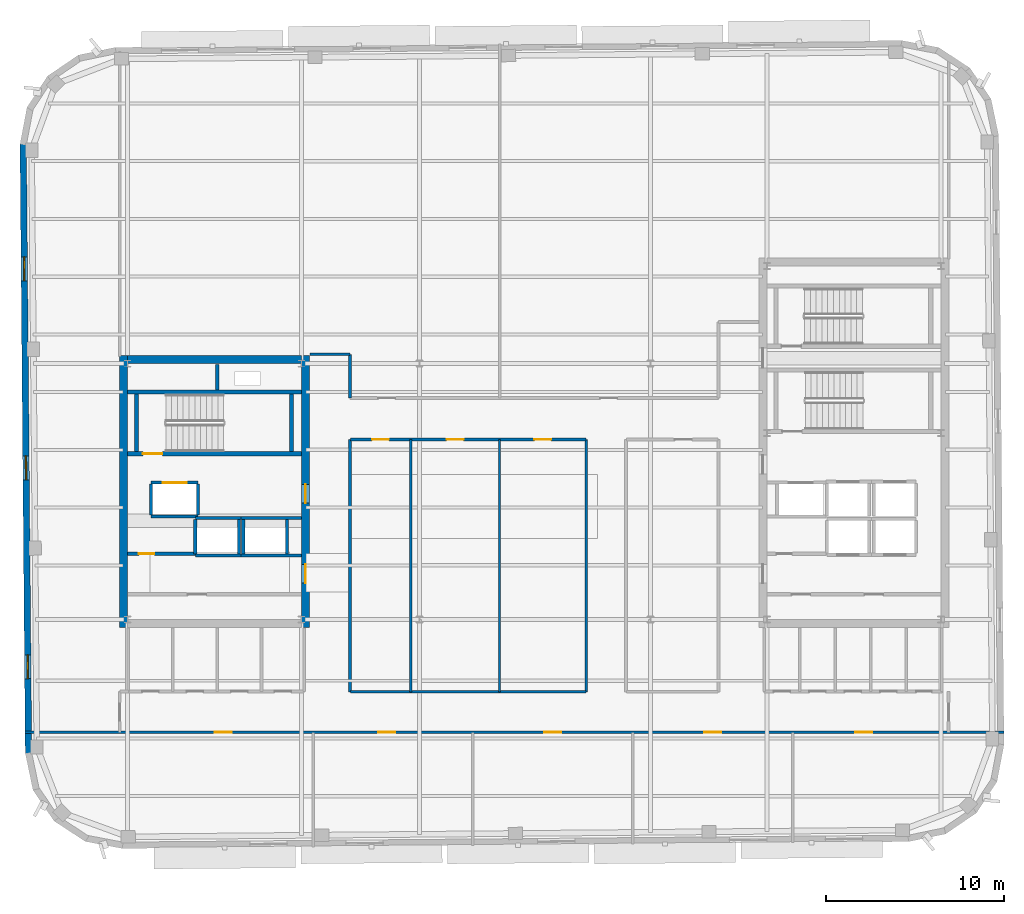
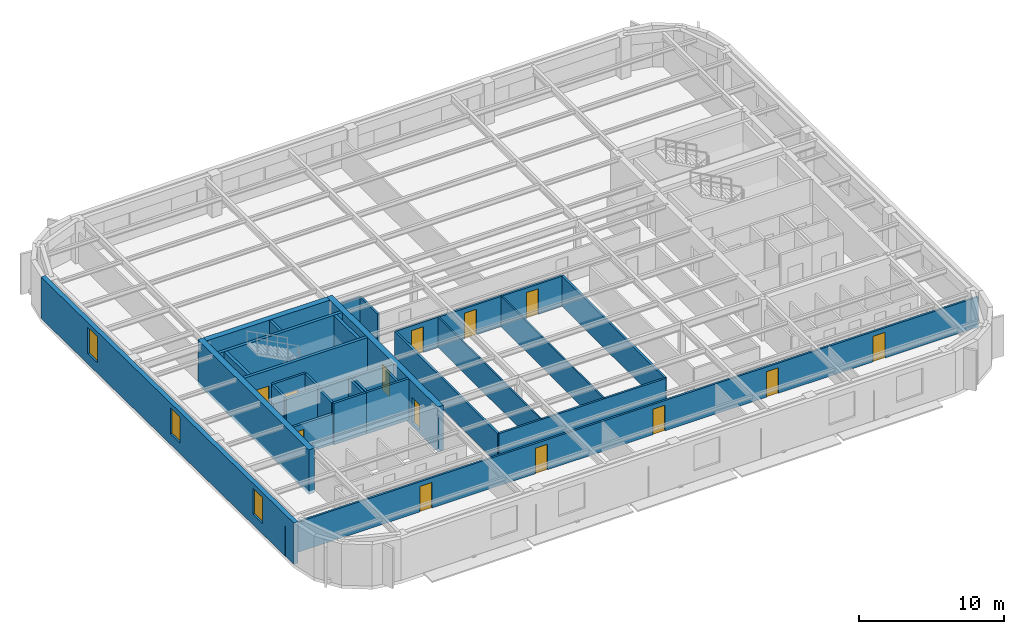
# One storey, part 7 of 15: 31 walls, 13 doors, 3 windows, 16 openings.
"""IFC4 building model written with IfcOpenShell, lengths in metres."""

from ifc_helpers import new_model, si_unit, direction, frame, frame_2d, origin, place, context, subcontext, project, spatial, rectangle, extrude, material, layer, layer_set, type_object, element, fill, save


model = new_model("IFC4")

# Units and contexts
model_context = context("Model", 3, precision=1e-05, world=origin(), true_north=direction((0.0, 1.0)))
body_context = subcontext(model_context, "Body", "Model", "MODEL_VIEW")
ifc_project = project(units=[si_unit("LENGTHUNIT", "METRE"), si_unit("AREAUNIT", "SQUARE_METRE"), si_unit("VOLUMEUNIT", "CUBIC_METRE"), si_unit("PLANEANGLEUNIT", "RADIAN"), si_unit("MASSUNIT", "GRAM", prefix="KILO")], contexts=[model_context])

# Site, building, storey
site_placement = place(None, origin())
site = spatial("IfcSite", under=ifc_project, at=site_placement, CompositionType="ELEMENT")
building_placement = place(site_placement, origin())
building = spatial("IfcBuilding", under=site, at=building_placement, Name="Kolvaren Arena Tower", CompositionType="ELEMENT")
storey_placement = place(building_placement, frame((0.0, 0.0, 282.39990234375)))
storey = spatial("IfcBuildingStorey", under=building, at=storey_placement, Name="L69", CompositionType="ELEMENT", Elevation=282.39990234375)

# Wall, openings, doors
ifc_material_1 = material(Name="Gypsum board acoustic assembly", Category="gypsum")
ifc_layer_1 = layer(ifc_material_1, 0.159912109375)
ifc_layer_set_1 = layer_set([ifc_layer_1], Name="Gypsum board acoustic assembly")
wall_type_1 = type_object("IfcWallType", Name="CORR-160", PredefinedType="PARTITIONING", material=ifc_layer_set_1)
wall_1_placement = place(storey_placement, frame((8.790283203125, 13.10009765625, 0.0), z_axis=(0.0, 0.0, 1.0), x_axis=(1.0, 0.0, 0.0)))
wall_1 = element("IfcWall", 1, at=wall_1_placement, inside=storey, type_object=wall_type_1, Name="Interior Partition Wall (L69)", PredefinedType="PARTITIONING", context=body_context, shape_type="SweptSolid", body=[
    extrude(rectangle(XDim=55.10205078125, YDim=0.159912109375, at=frame_2d((27.551025390625, 0.0))), origin(), (0.0, 0.0, 1.0), 2.5400390625),
])
opening_1_placement = place(wall_1_placement, frame((10.684814453125, 0.0, 0.0)))
opening_1 = element("IfcOpeningElement", 2, at=opening_1_placement, cuts=wall_1, Name="Opening D05", PredefinedType="OPENING", context=body_context, shape_type="SweptSolid", body=[
    extrude(rectangle(XDim=0.949951171875, YDim=2.14990234375, at=frame_2d((0.47509765625, 1.074951171875))), frame((0.0, 0.08984375, 0.0), z_axis=(0.0, -1.0, 0.0), x_axis=(1.0, 0.0, 0.0)), (0.0, 0.0, 1.0), 0.179931640625),
])
opening_2_placement = place(wall_1_placement, frame((19.884765625, 0.0, 0.0)))
opening_2 = element("IfcOpeningElement", 3, at=opening_2_placement, cuts=wall_1, Name="Opening D05", PredefinedType="OPENING", context=body_context, shape_type="SweptSolid", body=[
    extrude(rectangle(XDim=0.949951171875, YDim=2.14990234375, at=frame_2d((0.47509765625, 1.074951171875))), frame((0.0, 0.08984375, 0.0), z_axis=(0.0, -1.0, 0.0), x_axis=(1.0, 0.0, 0.0)), (0.0, 0.0, 1.0), 0.179931640625),
])
opening_3_placement = place(wall_1_placement, frame((29.234619140625, 0.0, 0.0)))
opening_3 = element("IfcOpeningElement", 4, at=opening_3_placement, cuts=wall_1, Name="Opening D05", PredefinedType="OPENING", context=body_context, shape_type="SweptSolid", body=[
    extrude(rectangle(XDim=0.949951171875, YDim=2.14990234375, at=frame_2d((0.47509765625, 1.074951171875))), frame((0.0, 0.08984375, 0.0), z_axis=(0.0, -1.0, 0.0), x_axis=(1.0, 0.0, 0.0)), (0.0, 0.0, 1.0), 0.179931640625),
])
opening_4_placement = place(wall_1_placement, frame((38.234619140625, 0.0, 0.0)))
opening_4 = element("IfcOpeningElement", 5, at=opening_4_placement, cuts=wall_1, Name="Opening D05", PredefinedType="OPENING", context=body_context, shape_type="SweptSolid", body=[
    extrude(rectangle(XDim=0.949951171875, YDim=2.14990234375, at=frame_2d((0.47509765625, 1.074951171875))), frame((0.0, 0.08984375, 0.0), z_axis=(0.0, -1.0, 0.0), x_axis=(1.0, 0.0, 0.0)), (0.0, 0.0, 1.0), 0.179931640625),
])
opening_5_placement = place(wall_1_placement, frame((46.734619140625, 0.0, 0.0)))
opening_5 = element("IfcOpeningElement", 6, at=opening_5_placement, cuts=wall_1, Name="Opening D05", PredefinedType="OPENING", context=body_context, shape_type="SweptSolid", body=[
    extrude(rectangle(XDim=0.949951171875, YDim=2.14990234375, at=frame_2d((0.47509765625, 1.074951171875))), frame((0.0, 0.08984375, 0.0), z_axis=(0.0, -1.0, 0.0), x_axis=(1.0, 0.0, 0.0)), (0.0, 0.0, 1.0), 0.179931640625),
])
ifc_material_2 = material(Name="Solid-core oak acoustic office door", Category="wood")
door_type_1 = type_object("IfcDoorType", Name="DOOR-OF-095", OperationType="NOTDEFINED", PredefinedType="DOOR", material=ifc_material_2)
door_1_placement = place(opening_1_placement, origin())
door_1 = element("IfcDoor", 7, at=door_1_placement, inside=storey, type_object=door_type_1, Name="Client Lounge Door (L69)", OperationType="SINGLE_SWING_LEFT", OverallHeight=2.14990234375, OverallWidth=0.949951171875, PredefinedType="DOOR", context=body_context, shape_type="SweptSolid", body=[
    extrude(rectangle(XDim=0.949951171875, YDim=2.14990234375, at=frame_2d((0.47509765625, 1.074951171875))), frame((0.0, 0.02490234375, 0.0), z_axis=(0.0, -1.0, 0.0), x_axis=(1.0, 0.0, 0.0)), (0.0, 0.0, 1.0), 0.050048828125),
])
fill(opening_1, door_1)
door_2_placement = place(opening_2_placement, origin())
door_2 = element("IfcDoor", 8, at=door_2_placement, inside=storey, type_object=door_type_1, Name="Wellness Room Door (L69)", OperationType="SINGLE_SWING_RIGHT", OverallHeight=2.14990234375, OverallWidth=0.949951171875, PredefinedType="DOOR", context=body_context, shape_type="SweptSolid", body=[
    extrude(rectangle(XDim=0.949951171875, YDim=2.14990234375, at=frame_2d((0.47509765625, 1.074951171875))), frame((0.0, 0.02490234375, 0.0), z_axis=(0.0, -1.0, 0.0), x_axis=(1.0, 0.0, 0.0)), (0.0, 0.0, 1.0), 0.050048828125),
])
fill(opening_2, door_2)
door_3_placement = place(opening_3_placement, origin())
door_3 = element("IfcDoor", 9, at=door_3_placement, inside=storey, type_object=door_type_1, Name="Meeting Room Door (L69)", OperationType="SINGLE_SWING_LEFT", OverallHeight=2.14990234375, OverallWidth=0.949951171875, PredefinedType="DOOR", context=body_context, shape_type="SweptSolid", body=[
    extrude(rectangle(XDim=0.949951171875, YDim=2.14990234375, at=frame_2d((0.47509765625, 1.074951171875))), frame((0.0, 0.02490234375, 0.0), z_axis=(0.0, -1.0, 0.0), x_axis=(1.0, 0.0, 0.0)), (0.0, 0.0, 1.0), 0.050048828125),
])
fill(opening_3, door_3)
door_4_placement = place(opening_4_placement, origin())
door_4 = element("IfcDoor", 10, at=door_4_placement, inside=storey, type_object=door_type_1, Name="Boardroom Door (L69)", OperationType="SINGLE_SWING_RIGHT", OverallHeight=2.14990234375, OverallWidth=0.949951171875, PredefinedType="DOOR", context=body_context, shape_type="SweptSolid", body=[
    extrude(rectangle(XDim=0.949951171875, YDim=2.14990234375, at=frame_2d((0.47509765625, 1.074951171875))), frame((0.0, 0.02490234375, 0.0), z_axis=(0.0, -1.0, 0.0), x_axis=(1.0, 0.0, 0.0)), (0.0, 0.0, 1.0), 0.050048828125),
])
fill(opening_4, door_4)
door_5_placement = place(opening_5_placement, origin())
door_5 = element("IfcDoor", 11, at=door_5_placement, inside=storey, type_object=door_type_1, Name="Breakout Pantry and Kitchen Door (L69)", OperationType="SINGLE_SWING_LEFT", OverallHeight=2.14990234375, OverallWidth=0.949951171875, PredefinedType="DOOR", context=body_context, shape_type="SweptSolid", body=[
    extrude(rectangle(XDim=0.949951171875, YDim=2.14990234375, at=frame_2d((0.47509765625, 1.074951171875))), frame((0.0, 0.02490234375, 0.0), z_axis=(0.0, -1.0, 0.0), x_axis=(1.0, 0.0, 0.0)), (0.0, 0.0, 1.0), 0.050048828125),
])
fill(opening_5, door_5)

# Walls
wall_2_placement = place(storey_placement, frame((27.080078125, 31.919921875, 0.0), z_axis=(0.0, 0.0, 1.0), x_axis=(0.0, 1.0, 0.0)))
element("IfcWall", 12, at=wall_2_placement, inside=storey, type_object=wall_type_1, Name="Interior Partition Wall (L69)", PredefinedType="PARTITIONING", context=body_context, shape_type="SweptSolid", body=[
    extrude(rectangle(XDim=2.4599609375, YDim=0.159912109375, at=frame_2d((1.22998046875, 0.0))), origin(), (0.0, 0.0, 1.0), 2.5400390625),
])
wall_3_placement = place(storey_placement, frame((24.820068359375, 34.3798828125, 0.0), z_axis=(0.0, 0.0, 1.0), x_axis=(1.0, 0.0, 0.0)))
element("IfcWall", 13, at=wall_3_placement, inside=storey, type_object=wall_type_1, Name="Interior Partition Wall (L69)", PredefinedType="PARTITIONING", context=body_context, shape_type="SweptSolid", body=[
    extrude(rectangle(XDim=2.260009765625, YDim=0.159912109375, at=frame_2d((1.1298828125, 0.0))), origin(), (0.0, 0.0, 1.0), 2.5400390625),
])

# Wall, openings, doors
wall_4_placement = place(storey_placement, frame((27.10009765625, 29.580078125, 0.0), z_axis=(0.0, 0.0, 1.0), x_axis=(1.0, 0.0, 0.0)))
wall_4 = element("IfcWall", 14, at=wall_4_placement, inside=storey, type_object=wall_type_1, Name="Interior Partition Wall (L69)", PredefinedType="PARTITIONING", context=body_context, shape_type="SweptSolid", body=[
    extrude(rectangle(XDim=13.260009765625, YDim=0.159912109375, at=frame_2d((6.6298828125, 0.0))), origin(), (0.0, 0.0, 1.0), 2.5400390625),
])
opening_6_placement = place(wall_4_placement, frame((1.22509765625, 0.0, 0.0)))
opening_6 = element("IfcOpeningElement", 15, at=opening_6_placement, cuts=wall_4, Name="Opening D05", PredefinedType="OPENING", context=body_context, shape_type="SweptSolid", body=[
    extrude(rectangle(XDim=0.949951171875, YDim=2.14990234375, at=frame_2d((0.47509765625, 1.074951171875))), frame((0.0, 0.08984375, 0.0), z_axis=(0.0, -1.0, 0.0), x_axis=(1.0, 0.0, 0.0)), (0.0, 0.0, 1.0), 0.179931640625),
])
opening_7_placement = place(wall_4_placement, frame((5.425048828125, 0.0, 0.0)))
opening_7 = element("IfcOpeningElement", 16, at=opening_7_placement, cuts=wall_4, Name="Opening D05", PredefinedType="OPENING", context=body_context, shape_type="SweptSolid", body=[
    extrude(rectangle(XDim=0.949951171875, YDim=2.14990234375, at=frame_2d((0.47509765625, 1.074951171875))), frame((0.0, 0.08984375, 0.0), z_axis=(0.0, -1.0, 0.0), x_axis=(1.0, 0.0, 0.0)), (0.0, 0.0, 1.0), 0.179931640625),
])
opening_8_placement = place(wall_4_placement, frame((10.35498046875, 0.0, 0.0)))
opening_8 = element("IfcOpeningElement", 17, at=opening_8_placement, cuts=wall_4, Name="Opening D05", PredefinedType="OPENING", context=body_context, shape_type="SweptSolid", body=[
    extrude(rectangle(XDim=0.949951171875, YDim=2.14990234375, at=frame_2d((0.47509765625, 1.074951171875))), frame((0.0, 0.08984375, 0.0), z_axis=(0.0, -1.0, 0.0), x_axis=(1.0, 0.0, 0.0)), (0.0, 0.0, 1.0), 0.179931640625),
])
door_6_placement = place(opening_6_placement, origin())
door_6 = element("IfcDoor", 18, at=door_6_placement, inside=storey, type_object=door_type_1, Name="Wellness Room Door (L69)", OperationType="SINGLE_SWING_RIGHT", OverallHeight=2.14990234375, OverallWidth=0.949951171875, PredefinedType="DOOR", context=body_context, shape_type="SweptSolid", body=[
    extrude(rectangle(XDim=0.949951171875, YDim=2.14990234375, at=frame_2d((0.47509765625, 1.074951171875))), frame((0.0, 0.02490234375, 0.0), z_axis=(0.0, -1.0, 0.0), x_axis=(1.0, 0.0, 0.0)), (0.0, 0.0, 1.0), 0.050048828125),
])
fill(opening_6, door_6)
door_7_placement = place(opening_7_placement, origin())
door_7 = element("IfcDoor", 19, at=door_7_placement, inside=storey, type_object=door_type_1, Name="Meeting Room Door (L69)", OperationType="SINGLE_SWING_LEFT", OverallHeight=2.14990234375, OverallWidth=0.949951171875, PredefinedType="DOOR", context=body_context, shape_type="SweptSolid", body=[
    extrude(rectangle(XDim=0.949951171875, YDim=2.14990234375, at=frame_2d((0.47509765625, 1.074951171875))), frame((0.0, 0.02490234375, 0.0), z_axis=(0.0, -1.0, 0.0), x_axis=(1.0, 0.0, 0.0)), (0.0, 0.0, 1.0), 0.050048828125),
])
fill(opening_7, door_7)
door_8_placement = place(opening_8_placement, origin())
door_8 = element("IfcDoor", 20, at=door_8_placement, inside=storey, type_object=door_type_1, Name="Boardroom Door (L69)", OperationType="SINGLE_SWING_RIGHT", OverallHeight=2.14990234375, OverallWidth=0.949951171875, PredefinedType="DOOR", context=body_context, shape_type="SweptSolid", body=[
    extrude(rectangle(XDim=0.949951171875, YDim=2.14990234375, at=frame_2d((0.47509765625, 1.074951171875))), frame((0.0, 0.02490234375, 0.0), z_axis=(0.0, -1.0, 0.0), x_axis=(1.0, 0.0, 0.0)), (0.0, 0.0, 1.0), 0.050048828125),
])
fill(opening_8, door_8)

# Walls
wall_5_placement = place(storey_placement, frame((27.10009765625, 15.3798828125, 0.0), z_axis=(0.0, 0.0, 1.0), x_axis=(1.0, 0.0, 0.0)))
element("IfcWall", 21, at=wall_5_placement, inside=storey, type_object=wall_type_1, Name="Interior Partition Wall (L69)", PredefinedType="PARTITIONING", context=body_context, shape_type="SweptSolid", body=[
    extrude(rectangle(XDim=13.260009765625, YDim=0.159912109375, at=frame_2d((6.6298828125, 0.0))), origin(), (0.0, 0.0, 1.0), 2.5400390625),
])
for number, where, z_axis, x_axis, name in (
    (22, (40.3798828125, 15.3798828125, 0.0), (0.0, 0.0, 1.0), (0.0, 1.0, 0.0), "Interior Partition Wall (L69)"),
    (23, (27.080078125, 15.3798828125, 0.0), (0.0, 0.0, 1.0), (0.0, 1.0, 0.0), "Interior Partition Wall (L69)"),
):
    element("IfcWall", number, at=place(storey_placement, frame(where, z_axis=z_axis, x_axis=x_axis)), inside=storey, type_object=wall_type_1, Name=name, PredefinedType="PARTITIONING", context=body_context, shape_type="SweptSolid", body=[
        extrude(rectangle(XDim=14.2001953125, YDim=0.159912109375, at=frame_2d((7.10009765625, 0.0))), origin(), (0.0, 0.0, 1.0), 2.5400390625),
    ])
ifc_material_3 = material(Name="Concrete 55 MPa", Category="concrete")
ifc_layer_2 = layer(ifc_material_3, 0.449951171875)
ifc_layer_set_2 = layer_set([ifc_layer_2], Name="Concrete 55 MPa")
wall_type_2 = type_object("IfcWallType", Name="CWALL-450", PredefinedType="SHEAR", material=ifc_layer_set_2)
wall_6_placement = place(storey_placement, frame((14.324951171875, 19.0, -0.27001953125), z_axis=(0.0, 0.0, 1.0), x_axis=(0.0, 1.0, 0.0)))
element("IfcWall", 24, at=wall_6_placement, inside=storey, type_object=wall_type_2, Name="Core Shear Wall WC-WEST (L69)", PredefinedType="SHEAR", context=body_context, shape_type="SweptSolid", body=[
    extrude(rectangle(XDim=15.300048828125, YDim=0.449951171875, at=frame_2d((7.64990234375, 0.0))), origin(), (0.0, 0.0, 1.0), 3.75),
])

# Wall, openings, doors
wall_7_placement = place(storey_placement, frame((24.574951171875, 19.0, -0.27001953125), z_axis=(0.0, 0.0, 1.0), x_axis=(0.0, 1.0, 0.0)))
wall_7 = element("IfcWall", 25, at=wall_7_placement, inside=storey, type_object=wall_type_2, Name="Core Shear Wall WC-EAST (L69)", PredefinedType="SHEAR", context=body_context, shape_type="SweptSolid", body=[
    extrude(rectangle(XDim=15.300048828125, YDim=0.449951171875, at=frame_2d((7.64990234375, 0.0))), origin(), (0.0, 0.0, 1.0), 3.75),
])
opening_9_placement = place(wall_7_placement, frame((2.5, 0.0, 0.27001953125)))
opening_9 = element("IfcOpeningElement", 26, at=opening_9_placement, cuts=wall_7, Name="Opening D04", PredefinedType="OPENING", context=body_context, shape_type="SweptSolid", body=[
    extrude(rectangle(XDim=1.050048828125, YDim=2.14990234375, at=frame_2d((0.52490234375, 1.074951171875))), frame((0.0, 0.23486328125, 0.0), z_axis=(0.0, -1.0, 0.0), x_axis=(1.0, 0.0, 0.0)), (0.0, 0.0, 1.0), 0.469970703125),
])
opening_10_placement = place(wall_7_placement, frame((7.0, 0.0, 0.27001953125)))
opening_10 = element("IfcOpeningElement", 27, at=opening_10_placement, cuts=wall_7, Name="Opening D04", PredefinedType="OPENING", context=body_context, shape_type="SweptSolid", body=[
    extrude(rectangle(XDim=1.050048828125, YDim=2.14990234375, at=frame_2d((0.52490234375, 1.074951171875))), frame((0.0, 0.23486328125, 0.0), z_axis=(0.0, -1.0, 0.0), x_axis=(1.0, 0.0, 0.0)), (0.0, 0.0, 1.0), 0.469970703125),
])
ifc_material_4 = material(Name="Fire-rated steel lobby door", Category="steel")
door_type_2 = type_object("IfcDoorType", Name="DOOR-FF-105", OperationType="NOTDEFINED", PredefinedType="DOOR", material=ifc_material_4)
door_9_placement = place(opening_9_placement, origin())
door_9 = element("IfcDoor", 28, at=door_9_placement, inside=storey, type_object=door_type_2, Name="West Lift Lobby Fire Door (L69)", OperationType="SINGLE_SWING_LEFT", OverallHeight=2.14990234375, OverallWidth=1.050048828125, PredefinedType="DOOR", context=body_context, shape_type="SweptSolid", body=[
    extrude(rectangle(XDim=1.050048828125, YDim=2.14990234375, at=frame_2d((0.52490234375, 1.074951171875))), frame((0.0, 0.02490234375, 0.0), z_axis=(0.0, -1.0, 0.0), x_axis=(1.0, 0.0, 0.0)), (0.0, 0.0, 1.0), 0.050048828125),
])
fill(opening_9, door_9)
door_10_placement = place(opening_10_placement, origin())
door_10 = element("IfcDoor", 29, at=door_10_placement, inside=storey, type_object=door_type_2, Name="West Firefighter Vestibule Door (L69)", OperationType="SINGLE_SWING_RIGHT", OverallHeight=2.14990234375, OverallWidth=1.050048828125, PredefinedType="DOOR", context=body_context, shape_type="SweptSolid", body=[
    extrude(rectangle(XDim=1.050048828125, YDim=2.14990234375, at=frame_2d((0.52490234375, 1.074951171875))), frame((0.0, 0.02490234375, 0.0), z_axis=(0.0, -1.0, 0.0), x_axis=(1.0, 0.0, 0.0)), (0.0, 0.0, 1.0), 0.050048828125),
])
fill(opening_10, door_10)

# Wall
wall_8_placement = place(storey_placement, frame((14.550048828125, 34.074951171875, -0.27001953125), z_axis=(0.0, 0.0, 1.0), x_axis=(1.0, 0.0, 0.0)))
element("IfcWall", 30, at=wall_8_placement, inside=storey, type_object=wall_type_2, Name="Core Shear Wall WC-NORTH (L69)", PredefinedType="SHEAR", context=body_context, shape_type="SweptSolid", body=[
    extrude(rectangle(XDim=9.800048828125, YDim=0.449951171875, at=frame_2d((4.89990234375, 0.0))), origin(), (0.0, 0.0, 1.0), 3.75),
])

# Wall, openings, windows
ifc_material_5 = material(Name="Precast concrete C50/60", Category="concrete")
ifc_layer_3 = layer(ifc_material_5, 0.360107421875)
ifc_layer_set_3 = layer_set([ifc_layer_3], Name="Precast concrete C50/60")
wall_type_3 = type_object("IfcWallType", Name="EXT-PIER2", PredefinedType="SOLIDWALL", material=ifc_layer_set_3)
wall_9_placement = place(storey_placement, frame((8.980712890625, 11.911865234375, 0.0), z_axis=(0.0, 0.0, 1.0), x_axis=(-0.008726453825, 0.999961923777, 0.0)))
wall_9 = element("IfcWall", 31, at=wall_9_placement, inside=storey, type_object=wall_type_3, Name="Exterior Precast Masonry-Frame Wall (L69)", PredefinedType="SOLIDWALL", context=body_context, shape_type="SweptSolid", body=[
    extrude(rectangle(XDim=34.2998046875, YDim=0.360107421875, at=frame_2d((17.14990234375, 0.0))), origin(), (0.0, 0.0, 1.0), 3.47998046875),
])
opening_11_placement = place(wall_9_placement, frame((4.199951171875, 0.0, 0.8798828125)))
opening_11 = element("IfcOpeningElement", 32, at=opening_11_placement, cuts=wall_9, Name="Opening W04", PredefinedType="OPENING", context=body_context, shape_type="SweptSolid", body=[
    extrude(rectangle(XDim=1.35009765625, YDim=2.199951171875, at=frame_2d((0.675048828125, 1.10009765625))), frame((0.0, 0.18994140625, 0.0), z_axis=(0.0, -1.0, 0.0), x_axis=(1.0, 0.0, 0.0)), (0.0, 0.0, 1.0), 0.380126953125),
])
opening_12_placement = place(wall_9_placement, frame((15.39990234375, 0.0, 0.8798828125)))
opening_12 = element("IfcOpeningElement", 33, at=opening_12_placement, cuts=wall_9, Name="Opening W04", PredefinedType="OPENING", context=body_context, shape_type="SweptSolid", body=[
    extrude(rectangle(XDim=1.35009765625, YDim=2.199951171875, at=frame_2d((0.675048828125, 1.10009765625))), frame((0.0, 0.18994140625, 0.0), z_axis=(0.0, -1.0, 0.0), x_axis=(1.0, 0.0, 0.0)), (0.0, 0.0, 1.0), 0.380126953125),
])
opening_13_placement = place(wall_9_placement, frame((26.60009765625, 0.0, 0.8798828125)))
opening_13 = element("IfcOpeningElement", 34, at=opening_13_placement, cuts=wall_9, Name="Opening W04", PredefinedType="OPENING", context=body_context, shape_type="SweptSolid", body=[
    extrude(rectangle(XDim=1.35009765625, YDim=2.199951171875, at=frame_2d((0.675048828125, 1.10009765625))), frame((0.0, 0.18994140625, 0.0), z_axis=(0.0, -1.0, 0.0), x_axis=(1.0, 0.0, 0.0)), (0.0, 0.0, 1.0), 0.380126953125),
])
ifc_material_6 = material(Name="Triple-glazed curved-facet corner window", Category="glass")
window_type = type_object("IfcWindowType", Name="WIN-CRN-A", PartitioningType="SINGLE_PANEL", PredefinedType="WINDOW", material=ifc_material_6)
window_1_placement = place(opening_11_placement, origin())
window_1 = element("IfcWindow", 35, at=window_1_placement, inside=storey, type_object=window_type, Name="End-Wall Punched Window (L69)", OverallHeight=2.199951171875, OverallWidth=1.35009765625, PartitioningType="SINGLE_PANEL", PredefinedType="WINDOW", context=body_context, shape_type="SweptSolid", body=[
    extrude(rectangle(XDim=1.35009765625, YDim=2.199951171875, at=frame_2d((0.675048828125, 1.10009765625))), frame((0.0, 0.030029296875, 0.0), z_axis=(0.0, -1.0, 0.0), x_axis=(1.0, 0.0, 0.0)), (0.0, 0.0, 1.0), 0.06005859375),
])
fill(opening_11, window_1)
window_2_placement = place(opening_12_placement, origin())
window_2 = element("IfcWindow", 36, at=window_2_placement, inside=storey, type_object=window_type, Name="End-Wall Punched Window (L69)", OverallHeight=2.199951171875, OverallWidth=1.35009765625, PartitioningType="SINGLE_PANEL", PredefinedType="WINDOW", context=body_context, shape_type="SweptSolid", body=[
    extrude(rectangle(XDim=1.35009765625, YDim=2.199951171875, at=frame_2d((0.675048828125, 1.10009765625))), frame((0.0, 0.030029296875, 0.0), z_axis=(0.0, -1.0, 0.0), x_axis=(1.0, 0.0, 0.0)), (0.0, 0.0, 1.0), 0.06005859375),
])
fill(opening_12, window_2)
window_3_placement = place(opening_13_placement, origin())
window_3 = element("IfcWindow", 37, at=window_3_placement, inside=storey, type_object=window_type, Name="End-Wall Punched Window (L69)", OverallHeight=2.199951171875, OverallWidth=1.35009765625, PartitioningType="SINGLE_PANEL", PredefinedType="WINDOW", context=body_context, shape_type="SweptSolid", body=[
    extrude(rectangle(XDim=1.35009765625, YDim=2.199951171875, at=frame_2d((0.675048828125, 1.10009765625))), frame((0.0, 0.030029296875, 0.0), z_axis=(0.0, -1.0, 0.0), x_axis=(1.0, 0.0, 0.0)), (0.0, 0.0, 1.0), 0.06005859375),
])
fill(opening_13, window_3)

# Wall, opening, door
ifc_material_7 = material(Name="Concrete 40 MPa", Category="concrete")
ifc_layer_4 = layer(ifc_material_7, 0.199951171875)
ifc_layer_set_4 = layer_set([ifc_layer_4], Name="Concrete 40 MPa")
wall_type_4 = type_object("IfcWallType", Name="LOBBY-200", PredefinedType="SOLIDWALL", material=ifc_layer_set_4)
wall_10_placement = place(storey_placement, frame((14.550048828125, 23.159912109375, 0.0), z_axis=(0.0, 0.0, 1.0), x_axis=(1.0, 0.0, 0.0)))
wall_10 = element("IfcWall", 38, at=wall_10_placement, inside=storey, type_object=wall_type_4, Name="Core Shaft Wall (L69)", PredefinedType="SOLIDWALL", context=body_context, shape_type="SweptSolid", body=[
    extrude(rectangle(XDim=3.820068359375, YDim=0.199951171875, at=frame_2d((1.91015625, 0.0))), origin(), (0.0, 0.0, 1.0), 2.5400390625),
])
opening_14_placement = place(wall_10_placement, frame((0.64990234375, 0.0, 0.0)))
opening_14 = element("IfcOpeningElement", 39, at=opening_14_placement, cuts=wall_10, Name="Opening D09", PredefinedType="OPENING", context=body_context, shape_type="SweptSolid", body=[
    extrude(rectangle(XDim=0.860107421875, YDim=2.050048828125, at=frame_2d((0.43017578125, 1.02490234375))), frame((0.0, 0.10986328125, 0.0), z_axis=(0.0, -1.0, 0.0), x_axis=(1.0, 0.0, 0.0)), (0.0, 0.0, 1.0), 0.219970703125),
])
ifc_material_8 = material(Name="Fire-rated steel riser access door", Category="steel")
door_type_3 = type_object("IfcDoorType", Name="DOOR-RS-086", OperationType="NOTDEFINED", PredefinedType="DOOR", material=ifc_material_8)
door_11_placement = place(opening_14_placement, origin())
door_11 = element("IfcDoor", 40, at=door_11_placement, inside=storey, type_object=door_type_3, Name="West Document Archive Riser Door (L69)", OperationType="SINGLE_SWING_RIGHT", OverallHeight=2.050048828125, OverallWidth=0.860107421875, PredefinedType="DOOR", context=body_context, shape_type="SweptSolid", body=[
    extrude(rectangle(XDim=0.860107421875, YDim=2.050048828125, at=frame_2d((0.43017578125, 1.02490234375))), frame((0.0, 0.02490234375, 0.0), z_axis=(0.0, -1.0, 0.0), x_axis=(1.0, 0.0, 0.0)), (0.0, 0.0, 1.0), 0.050048828125),
])
fill(opening_14, door_11)

# Walls
ifc_material_9 = material(Name="Gypsum board partition assembly", Category="gypsum")
ifc_layer_5 = layer(ifc_material_9, 0.114990234375)
ifc_layer_set_5 = layer_set([ifc_layer_5], Name="Gypsum board partition assembly")
wall_type_5 = type_object("IfcWallType", Name="PART-115", PredefinedType="PARTITIONING", material=ifc_layer_set_5)
for number, where, z_axis, x_axis, name in (
    (41, (30.5, 15.3798828125, 0.0), (0.0, 0.0, 1.0), (0.0, 1.0, 0.0), "Interior Partition Wall (L69)"),
    (42, (35.5, 15.3798828125, 0.0), (0.0, 0.0, 1.0), (0.0, 1.0, 0.0), "Interior Partition Wall (L69)"),
):
    element("IfcWall", number, at=place(storey_placement, frame(where, z_axis=z_axis, x_axis=x_axis)), inside=storey, type_object=wall_type_5, Name=name, PredefinedType="PARTITIONING", context=body_context, shape_type="SweptSolid", body=[
        extrude(rectangle(XDim=14.2001953125, YDim=0.114990234375, at=frame_2d((7.10009765625, 0.0))), origin(), (0.0, 0.0, 1.0), 2.5400390625),
    ])

# Wall, opening, door
ifc_material_10 = material(Name="Concrete 45 MPa", Category="concrete")
ifc_layer_6 = layer(ifc_material_10, 0.25)
ifc_layer_set_6 = layer_set([ifc_layer_6], Name="Concrete 45 MPa")
wall_type_6 = type_object("IfcWallType", Name="SHAFT-250", PredefinedType="SOLIDWALL", material=ifc_layer_set_6)
wall_11_placement = place(storey_placement, frame((24.35009765625, 28.780029296875, 0.0), z_axis=(0.0, 0.0, 1.0), x_axis=(-1.0, 0.0, 0.0)))
wall_11 = element("IfcWall", 43, at=wall_11_placement, inside=storey, type_object=wall_type_6, Name="Core Shaft Wall (L69)", PredefinedType="SOLIDWALL", context=body_context, shape_type="SweptSolid", body=[
    extrude(rectangle(XDim=9.800048828125, YDim=0.239990234375, at=frame_2d((4.89990234375, 0.0))), origin(), (0.0, 0.0, 1.0), 3.47998046875),
])
opening_15_placement = place(wall_11_placement, frame((7.830078125, 0.0, 0.0)))
opening_15 = element("IfcOpeningElement", 44, at=opening_15_placement, cuts=wall_11, Name="Opening D03", PredefinedType="OPENING", context=body_context, shape_type="SweptSolid", body=[
    extrude(rectangle(XDim=1.10009765625, YDim=2.14990234375, at=frame_2d((0.550048828125, 1.074951171875))), frame((0.0, 0.1298828125, 0.0), z_axis=(0.0, -1.0, 0.0), x_axis=(1.0, 0.0, 0.0)), (0.0, 0.0, 1.0), 0.260009765625),
])
ifc_material_11 = material(Name="Fire-rated steel exit stair door", Category="steel")
door_type_4 = type_object("IfcDoorType", Name="DOOR-ST-110", OperationType="NOTDEFINED", PredefinedType="DOOR", material=ifc_material_11)
door_12_placement = place(opening_15_placement, origin())
door_12 = element("IfcDoor", 45, at=door_12_placement, inside=storey, type_object=door_type_4, Name="Stair ST-W1 Fire Door (L69)", OperationType="SINGLE_SWING_RIGHT", OverallHeight=2.14990234375, OverallWidth=1.10009765625, PredefinedType="DOOR", context=body_context, shape_type="SweptSolid", body=[
    extrude(rectangle(XDim=1.10009765625, YDim=2.14990234375, at=frame_2d((0.550048828125, 1.074951171875))), frame((0.0, 0.02490234375, 0.0), z_axis=(0.0, -1.0, 0.0), x_axis=(1.0, 0.0, 0.0)), (0.0, 0.0, 1.0), 0.050048828125),
])
fill(opening_15, door_12)

# Walls
wall_12_placement = place(storey_placement, frame((14.550048828125, 32.25, 0.0), z_axis=(0.0, 0.0, 1.0), x_axis=(1.0, 0.0, 0.0)))
element("IfcWall", 46, at=wall_12_placement, inside=storey, type_object=wall_type_6, Name="Core Shaft Wall (L69)", PredefinedType="SOLIDWALL", context=body_context, shape_type="SweptSolid", body=[
    extrude(rectangle(XDim=9.800048828125, YDim=0.239990234375, at=frame_2d((4.89990234375, 0.0))), origin(), (0.0, 0.0, 1.0), 3.47998046875),
])
for number, where, z_axis, x_axis, name in (
    (47, (15.06005859375, 28.89990234375, 0.0), (0.0, 0.0, 1.0), (0.0, 1.0, 0.0), "Core Shaft Wall (L69)"),
    (48, (23.780029296875, 28.89990234375, 0.0), (0.0, 0.0, 1.0), (0.0, 1.0, 0.0), "Core Shaft Wall (L69)"),
):
    element("IfcWall", number, at=place(storey_placement, frame(where, z_axis=z_axis, x_axis=x_axis)), inside=storey, type_object=wall_type_6, Name=name, PredefinedType="SOLIDWALL", context=body_context, shape_type="SweptSolid", body=[
        extrude(rectangle(XDim=3.22998046875, YDim=0.239990234375, at=frame_2d((1.614990234375, 0.0))), origin(), (0.0, 0.0, 1.0), 3.47998046875),
    ])
wall_13_placement = place(storey_placement, frame((19.60009765625, 32.3701171875, 0.0), z_axis=(0.0, 0.0, 1.0), x_axis=(0.0, 1.0, 0.0)))
element("IfcWall", 49, at=wall_13_placement, inside=storey, type_object=wall_type_6, Name="Core Shaft Wall (L69)", PredefinedType="SOLIDWALL", context=body_context, shape_type="SweptSolid", body=[
    extrude(rectangle(XDim=1.429931640625, YDim=0.199951171875, at=frame_2d((0.71484375, 0.0))), origin(), (0.0, 0.0, 1.0), 3.47998046875),
])
for number, where, z_axis, x_axis, name in (
    (50, (18.3701171875, 25.155029296875, 0.0), (0.0, 0.0, 1.0), (1.0, 0.0, 0.0), "Core Shaft Wall (L69)"),
    (51, (18.3701171875, 23.044921875, 0.0), (0.0, 0.0, 1.0), (1.0, 0.0, 0.0), "Core Shaft Wall (L69)"),
):
    element("IfcWall", number, at=place(storey_placement, frame(where, z_axis=z_axis, x_axis=x_axis)), inside=storey, type_object=wall_type_6, Name=name, PredefinedType="SOLIDWALL", context=body_context, shape_type="SweptSolid", body=[
        extrude(rectangle(XDim=2.579833984375, YDim=0.179931640625, at=frame_2d((1.2900390625, 0.0))), origin(), (0.0, 0.0, 1.0), 3.47998046875),
    ])
for number, where, z_axis, x_axis, name in (
    (52, (18.3701171875, 23.135009765625, 0.0), (0.0, 0.0, 1.0), (0.0, 1.0, 0.0), "Core Shaft Wall (L69)"),
    (53, (20.830078125, 23.135009765625, 0.0), (0.0, 0.0, 1.0), (0.0, 1.0, 0.0), "Core Shaft Wall (L69)"),
):
    element("IfcWall", number, at=place(storey_placement, frame(where, z_axis=z_axis, x_axis=x_axis)), inside=storey, type_object=wall_type_6, Name=name, PredefinedType="SOLIDWALL", context=body_context, shape_type="SweptSolid", body=[
        extrude(rectangle(XDim=1.929931640625, YDim=0.179931640625, at=frame_2d((0.96484375, 0.0))), origin(), (0.0, 0.0, 1.0), 3.47998046875),
    ])
for number, where, z_axis, x_axis, name in (
    (54, (20.949951171875, 25.155029296875, 0.0), (0.0, 0.0, 1.0), (1.0, 0.0, 0.0), "Core Shaft Wall (L69)"),
    (55, (20.949951171875, 23.044921875, 0.0), (0.0, 0.0, 1.0), (1.0, 0.0, 0.0), "Core Shaft Wall (L69)"),
):
    element("IfcWall", number, at=place(storey_placement, frame(where, z_axis=z_axis, x_axis=x_axis)), inside=storey, type_object=wall_type_6, Name=name, PredefinedType="SOLIDWALL", context=body_context, shape_type="SweptSolid", body=[
        extrude(rectangle(XDim=3.400146484375, YDim=0.179931640625, at=frame_2d((1.7001953125, 0.0))), origin(), (0.0, 0.0, 1.0), 3.47998046875),
    ])
for number, where, z_axis, x_axis, name in (
    (56, (21.070068359375, 23.135009765625, 0.0), (0.0, 0.0, 1.0), (0.0, 1.0, 0.0), "Core Shaft Wall (L69)"),
    (57, (23.530029296875, 23.135009765625, 0.0), (0.0, 0.0, 1.0), (0.0, 1.0, 0.0), "Core Shaft Wall (L69)"),
):
    element("IfcWall", number, at=place(storey_placement, frame(where, z_axis=z_axis, x_axis=x_axis)), inside=storey, type_object=wall_type_6, Name=name, PredefinedType="SOLIDWALL", context=body_context, shape_type="SweptSolid", body=[
        extrude(rectangle(XDim=1.929931640625, YDim=0.179931640625, at=frame_2d((0.96484375, 0.0))), origin(), (0.0, 0.0, 1.0), 3.47998046875),
    ])

# Wall, opening, door
wall_14_placement = place(storey_placement, frame((15.8701171875, 27.155029296875, 0.0), z_axis=(0.0, 0.0, 1.0), x_axis=(1.0, 0.0, 0.0)))
wall_14 = element("IfcWall", 58, at=wall_14_placement, inside=storey, type_object=wall_type_6, Name="Core Shaft Wall (L69)", PredefinedType="SOLIDWALL", context=body_context, shape_type="SweptSolid", body=[
    extrude(rectangle(XDim=2.659912109375, YDim=0.179931640625, at=frame_2d((1.330078125, 0.0))), origin(), (0.0, 0.0, 1.0), 3.47998046875),
])
opening_16_placement = place(wall_14_placement, frame((0.655029296875, 0.0, 0.0)))
opening_16 = element("IfcOpeningElement", 59, at=opening_16_placement, cuts=wall_14, Name="Opening LD2", PredefinedType="OPENING", context=body_context, shape_type="SweptSolid", body=[
    extrude(rectangle(XDim=1.35009765625, YDim=2.300048828125, at=frame_2d((0.675048828125, 1.14990234375))), frame((0.0, 0.099853515625, 0.0), z_axis=(0.0, -1.0, 0.0), x_axis=(1.0, 0.0, 0.0)), (0.0, 0.0, 1.0), 0.199951171875),
])
ifc_material_12 = material(Name="Stainless steel firefighter lift landing door", Category="steel")
door_type_5 = type_object("IfcDoorType", Name="DOOR-LD-135", OperationType="DOUBLE_DOOR_SLIDING", PredefinedType="DOOR", material=ifc_material_12)
door_13_placement = place(opening_16_placement, origin())
door_13 = element("IfcDoor", 60, at=door_13_placement, inside=storey, type_object=door_type_5, Name="Firefighter Lift FF-W1 Landing Door (L69)", OperationType="DOUBLE_DOOR_SLIDING", OverallHeight=2.300048828125, OverallWidth=1.35009765625, PredefinedType="DOOR", context=body_context, shape_type="SweptSolid", body=[
    extrude(rectangle(XDim=1.35009765625, YDim=2.300048828125, at=frame_2d((0.675048828125, 1.14990234375))), frame((0.0, 0.02490234375, 0.0), z_axis=(0.0, -1.0, 0.0), x_axis=(1.0, 0.0, 0.0)), (0.0, 0.0, 1.0), 0.050048828125),
])
fill(opening_16, door_13)

# Walls
wall_15_placement = place(storey_placement, frame((15.8701171875, 25.2451171875, 0.0), z_axis=(0.0, 0.0, 1.0), x_axis=(1.0, 0.0, 0.0)))
element("IfcWall", 61, at=wall_15_placement, inside=storey, type_object=wall_type_6, Name="Core Shaft Wall (L69)", PredefinedType="SOLIDWALL", context=body_context, shape_type="SweptSolid", body=[
    extrude(rectangle(XDim=2.659912109375, YDim=0.179931640625, at=frame_2d((1.330078125, 0.0))), origin(), (0.0, 0.0, 1.0), 3.47998046875),
])
for number, where, z_axis, x_axis, name in (
    (62, (15.8701171875, 25.3349609375, 0.0), (0.0, 0.0, 1.0), (0.0, 1.0, 0.0), "Core Shaft Wall (L69)"),
    (63, (18.530029296875, 25.3349609375, 0.0), (0.0, 0.0, 1.0), (0.0, 1.0, 0.0), "Core Shaft Wall (L69)"),
):
    element("IfcWall", number, at=place(storey_placement, frame(where, z_axis=z_axis, x_axis=x_axis)), inside=storey, type_object=wall_type_6, Name=name, PredefinedType="SOLIDWALL", context=body_context, shape_type="SweptSolid", body=[
        extrude(rectangle(XDim=1.72998046875, YDim=0.179931640625, at=frame_2d((0.864990234375, 0.0))), origin(), (0.0, 0.0, 1.0), 3.47998046875),
    ])

save(model, "model.ifc")
